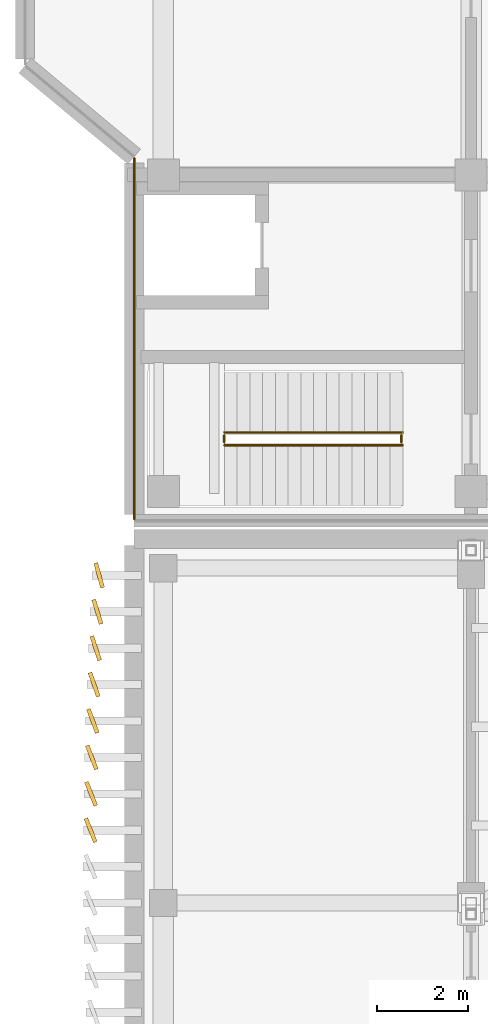
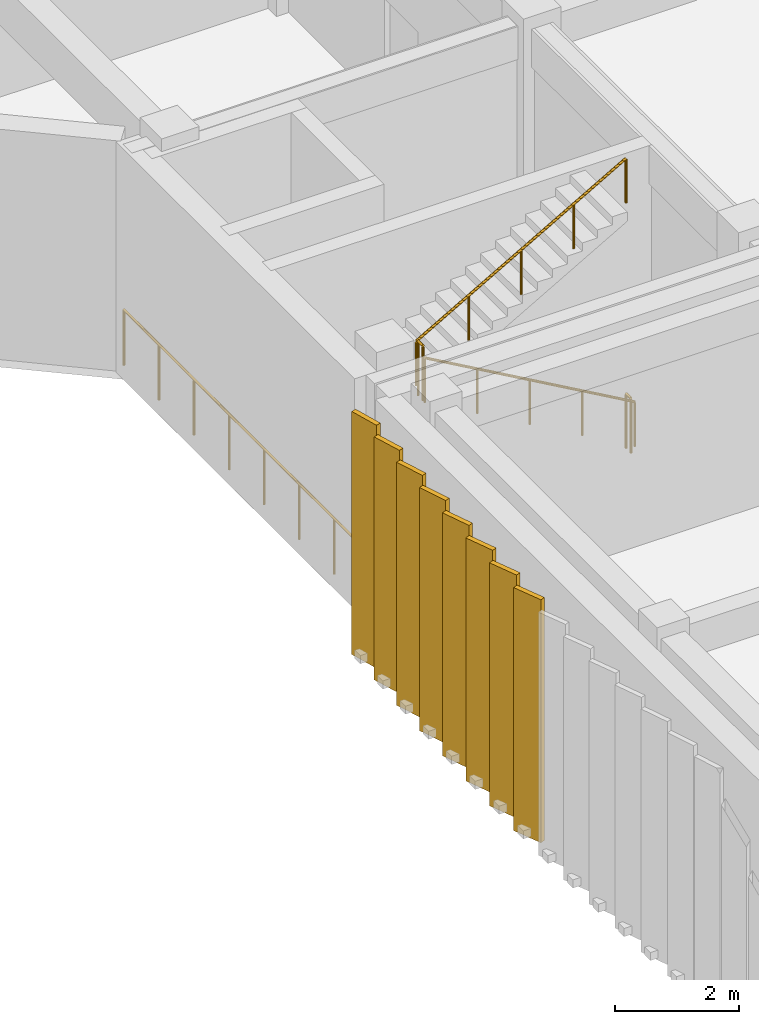
# One storey, part 66 of 76: 8 coverings, 5 railings.
"""IFC4 building model written with IfcOpenShell, lengths in metres."""

from ifc_helpers import new_model, si_unit, direction, frame, origin, origin_2d, place, context, subcontext, project, spatial, rectangle, circle, extrude, material, layer, layer_set, type_object, element, save


model = new_model("IFC4")

# Units and contexts
model_context = context("Model", 3, precision=1e-05, world=origin(), true_north=direction((0.0, 1.0)))
body_context = subcontext(model_context, "Body", "Model", "MODEL_VIEW")
ifc_project = project(units=[si_unit("LENGTHUNIT", "METRE"), si_unit("AREAUNIT", "SQUARE_METRE"), si_unit("VOLUMEUNIT", "CUBIC_METRE"), si_unit("PLANEANGLEUNIT", "RADIAN"), si_unit("MASSUNIT", "GRAM", prefix="KILO")], contexts=[model_context])

# Site, building, storey
site_placement = place(None, origin())
site = spatial("IfcSite", under=ifc_project, at=site_placement, CompositionType="ELEMENT")
building_placement = place(site_placement, origin())
building = spatial("IfcBuilding", under=site, at=building_placement, Name="Cinchona Park Media Centre", CompositionType="ELEMENT")
storey_placement = place(building_placement, frame((0.0, 0.0, 15.60009765625)))
storey = spatial("IfcBuildingStorey", under=building, at=storey_placement, Name="L03", CompositionType="ELEMENT", Elevation=15.60009765625)

# Coverings
ifc_material_1 = material(Name="Anodised Storm-Resistant Aluminium Fin", Category="aluminium")
ifc_layer = layer(ifc_material_1, 0.090087890625)
ifc_layer_set = layer_set([ifc_layer], Name="Anodised Storm-Resistant Aluminium Fin")
covering_type = type_object("IfcCoveringType", Name="CLADDING-FIN01", PredefinedType="CLADDING", material=ifc_layer_set)
for number, where, z_axis, x_axis, name in (
    (1, (7.22998046875, 62.800048828125, 0.0), (0.0, 0.0, 1.0), (0.270096344686, -0.962833300518, 0.0), "Twisting Vertical Facade Fin L03"),
    (2, (7.19091796875, 62.0, 0.0), (0.0, 0.0, 1.0), (0.291870944669, -0.956457710334, 0.0), "Twisting Vertical Facade Fin L03"),
    (3, (7.154052734375, 61.199951171875, 0.0), (0.0, 0.0, 1.0), (0.312500715155, -0.949917524329, 0.0), "Twisting Vertical Facade Fin L03"),
    (4, (7.1201171875, 60.39990234375, 0.0), (0.0, 0.0, 1.0), (0.331008520407, -0.943627765286, 0.0), "Twisting Vertical Facade Fin L03"),
    (5, (7.091064453125, 59.60009765625, 0.0), (0.0, 0.0, 1.0), (0.346771953791, -0.937949472021, 0.0), "Twisting Vertical Facade Fin L03"),
    (6, (7.068115234375, 58.800048828125, 0.0), (0.0, 0.0, 1.0), (0.359345396006, -0.933204632634, 0.0), "Twisting Vertical Facade Fin L03"),
    (7, (7.052001953125, 58.0, 0.0), (0.0, 0.0, 1.0), (0.36844908347, -0.929647929536, 0.0), "Twisting Vertical Facade Fin L03"),
    (8, (7.0419921875, 57.199951171875, 0.0), (0.0, 0.0, 1.0), (0.373473545352, -0.927640830776, 0.0), "Twisting Vertical Facade Fin L03"),
):
    element("IfcCovering", number, at=place(storey_placement, frame(where, z_axis=z_axis, x_axis=x_axis)), inside=storey, type_object=covering_type, Name=name, PredefinedType="CLADDING", context=body_context, shape_type="SweptSolid", body=[
        extrude(rectangle(XDim=0.56005859375, YDim=0.090087890625, at=origin_2d()), origin(), (0.0, 0.0, 1.0), 4.800048828125),
    ])

# Railings
ifc_material_2 = material(Name="Painted Steel Stairwell Guardrail", Category="steel")
railing_type_1 = type_object("IfcRailingType", Name="RAILING-GR02", PredefinedType="GUARDRAIL", material=ifc_material_2)
for number, where, name in (
    (9, (13.864990234375, 65.719970703125, 0.0), "Stairwell Guardrail GR02 ST3 L03"),
    (10, (9.97998046875, 65.719970703125, 2.39990234375), "Half-Landing Guardrail GR02 ST3 L03"),
):
    element("IfcRailing", number, at=place(storey_placement, frame(where)), inside=storey, type_object=railing_type_1, Name=name, PredefinedType="GUARDRAIL", context=body_context, shape_type="SweptSolid", body=[
        extrude(circle(Radius=0.02392578125, at=origin_2d()), frame((0.0, 0.0, 1.076171875), z_axis=(0.0, 1.0, 0.0), x_axis=(-1.0, 0.0, 0.0)), (0.0, 0.0, 1.0), 0.159912109375),
        extrude(circle(Radius=0.02099609375, at=origin_2d()), origin(), (0.0, 0.0, 1.0), 1.052001953125),
        extrude(circle(Radius=0.02099609375, at=origin_2d()), frame((0.0, 0.159912109375, 0.0)), (0.0, 0.0, 1.0), 1.052001953125),
    ])
railing_1_placement = place(storey_placement, frame((8.0, 71.968017578125, 0.0)))
element("IfcRailing", 11, at=railing_1_placement, inside=storey, type_object=railing_type_1, Name="Auditorium Wedge Perimeter Guardrail GR02 L03 S12", PredefinedType="GUARDRAIL", context=body_context, shape_type="SweptSolid", body=[
    extrude(circle(Radius=0.02392578125, at=origin_2d()), frame((0.0, 0.0, 1.09619140625), z_axis=(0.0, -1.0, 0.0), x_axis=(1.0, 0.0, 0.0)), (0.0, 0.0, 1.0), 7.93603515625),
    extrude(circle(Radius=0.02099609375, at=origin_2d()), origin(), (0.0, 0.0, 1.0), 1.072021484375),
    extrude(circle(Radius=0.02099609375, at=origin_2d()), frame((0.0, -1.1337890625, 0.0)), (0.0, 0.0, 1.0), 1.072021484375),
    extrude(circle(Radius=0.02099609375, at=origin_2d()), frame((0.0, -2.267333984375, 0.0)), (0.0, 0.0, 1.0), 1.072021484375),
    extrude(circle(Radius=0.02099609375, at=origin_2d()), frame((0.0, -3.401123046875, 0.0)), (0.0, 0.0, 1.0), 1.072021484375),
    extrude(circle(Radius=0.02099609375, at=origin_2d()), frame((0.0, -4.534912109375, 0.0)), (0.0, 0.0, 1.0), 1.072021484375),
    extrude(circle(Radius=0.02099609375, at=origin_2d()), frame((0.0, -5.668701171875, 0.0)), (0.0, 0.0, 1.0), 1.072021484375),
    extrude(circle(Radius=0.02099609375, at=origin_2d()), frame((0.0, -6.80224609375, 0.0)), (0.0, 0.0, 1.0), 1.072021484375),
    extrude(circle(Radius=0.02099609375, at=origin_2d()), frame((0.0, -7.93603515625, 0.0)), (0.0, 0.0, 1.0), 1.072021484375),
])
ifc_material_3 = material(Name="Brushed Stainless Steel Handrail", Category="steel")
railing_type_2 = type_object("IfcRailingType", Name="RAILING-HR01", PredefinedType="HANDRAIL", material=ifc_material_3)
railing_2_placement = place(storey_placement, frame((13.89990234375, 65.659912109375, 0.159912109375)))
element("IfcRailing", 12, at=railing_2_placement, inside=storey, type_object=railing_type_2, Name="Stair Handrail HR01 ST3 L03 F1", PredefinedType="HANDRAIL", context=body_context, shape_type="SweptSolid", body=[
    extrude(circle(Radius=0.02392578125, at=origin_2d()), frame((0.0, 0.0, 0.8759765625), z_axis=(-0.868239814368, 0.0, 0.496144761885), x_axis=(0.0, -1.0, 0.0)), (0.0, 0.0, 1.0), 4.514892578125),
    extrude(circle(Radius=0.02099609375, at=origin_2d()), origin(), (0.0, 0.0, 1.0), 0.851806640625),
    extrude(circle(Radius=0.02099609375, at=origin_2d()), frame((-0.97998046875, 0.0, 0.56005859375)), (0.0, 0.0, 1.0), 0.851806640625),
    extrude(circle(Radius=0.02099609375, at=origin_2d()), frame((-1.9599609375, 0.0, 1.1201171875)), (0.0, 0.0, 1.0), 0.851806640625),
    extrude(circle(Radius=0.02099609375, at=origin_2d()), frame((-2.93994140625, 0.0, 1.679931640625)), (0.0, 0.0, 1.0), 0.851806640625),
    extrude(circle(Radius=0.02099609375, at=origin_2d()), frame((-3.919921875, 0.0, 2.239990234375)), (0.0, 0.0, 1.0), 0.851806640625),
])
railing_3_placement = place(storey_placement, frame((9.97998046875, 65.93994140625, 2.559814453125)))
element("IfcRailing", 13, at=railing_3_placement, inside=storey, type_object=railing_type_2, Name="Stair Handrail HR01 ST3 L03 F2", PredefinedType="HANDRAIL", context=body_context, shape_type="SweptSolid", body=[
    extrude(circle(Radius=0.02392578125, at=origin_2d()), frame((0.0, 0.0, 0.8759765625), z_axis=(0.868239814368, 0.0, 0.496144761885), x_axis=(0.0, 1.0, 0.0)), (0.0, 0.0, 1.0), 4.514892578125),
    extrude(circle(Radius=0.02099609375, at=origin_2d()), origin(), (0.0, 0.0, 1.0), 0.851806640625),
    extrude(circle(Radius=0.02099609375, at=origin_2d()), frame((0.97998046875, 0.0, 0.56005859375)), (0.0, 0.0, 1.0), 0.851806640625),
    extrude(circle(Radius=0.02099609375, at=origin_2d()), frame((1.9599609375, 0.0, 1.1201171875)), (0.0, 0.0, 1.0), 0.851806640625),
    extrude(circle(Radius=0.02099609375, at=origin_2d()), frame((2.93994140625, 0.0, 1.679931640625)), (0.0, 0.0, 1.0), 0.851806640625),
    extrude(circle(Radius=0.02099609375, at=origin_2d()), frame((3.919921875, 0.0, 2.239990234375)), (0.0, 0.0, 1.0), 0.851806640625),
])

save(model, "model.ifc")
